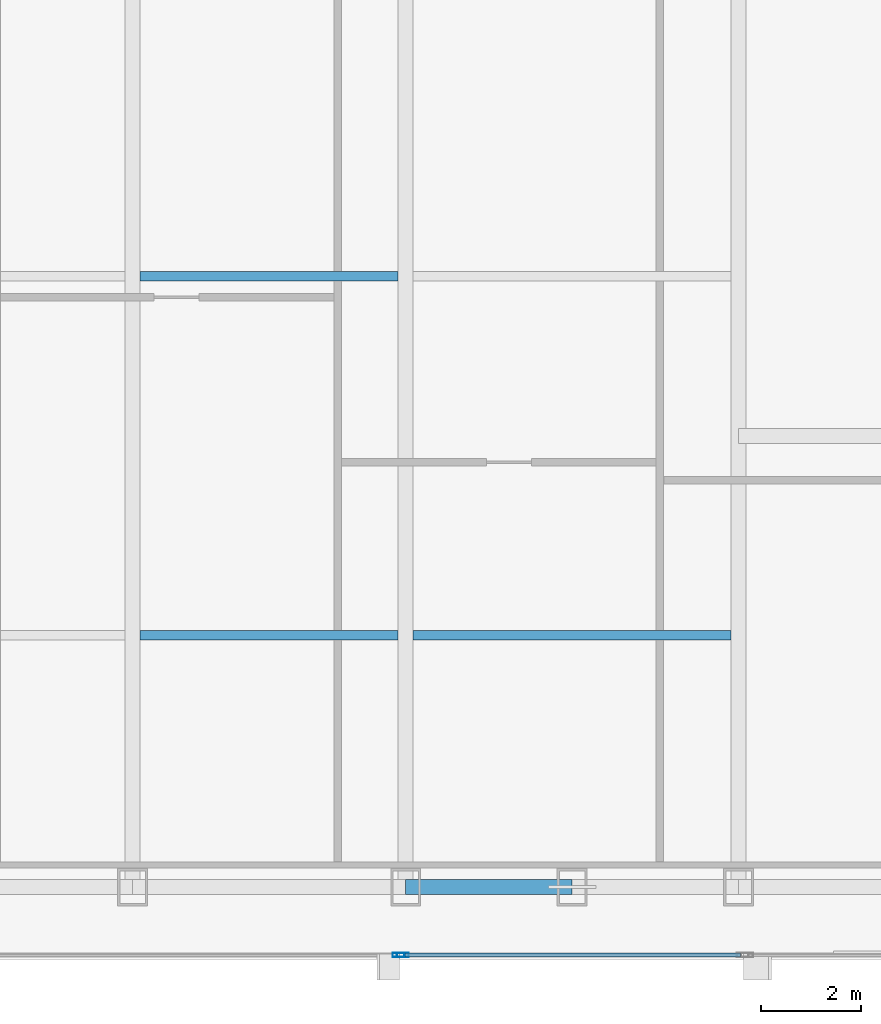
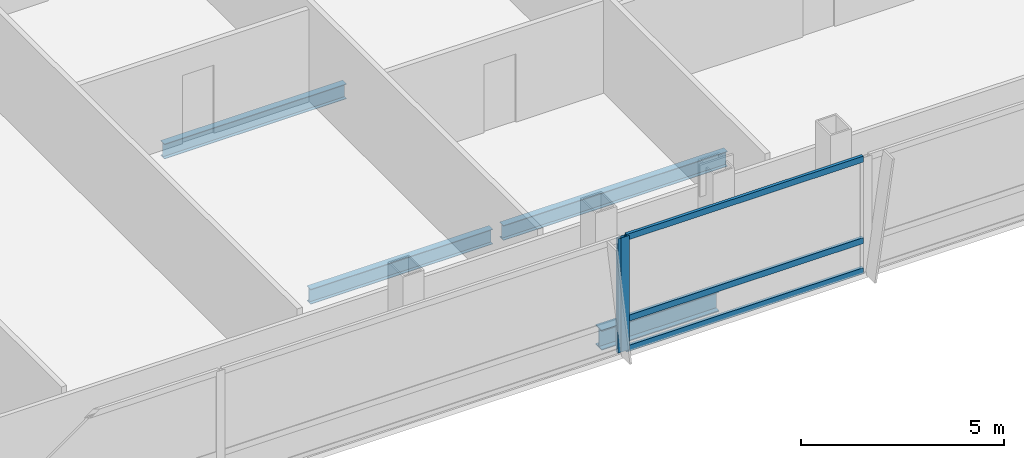
# One storey, part 12 of 30: 5 members, 4 beams, 2 elements without a shape of their own.
"""IFC4 building model written with IfcOpenShell, lengths in metres."""

from ifc_helpers import new_model, si_unit, direction, frame, origin, origin_2d, place, context, subcontext, project, spatial, hollow_rectangle, i_section, extrude, material, material_profile, profile_set, type_object, element, aggregate, save


model = new_model("IFC4")

# Units and contexts
model_context = context("Model", 3, precision=1e-05, world=origin(), true_north=direction((0.0, 1.0)))
body_context = subcontext(model_context, "Body", "Model", "MODEL_VIEW")
ifc_project = project(units=[si_unit("LENGTHUNIT", "METRE"), si_unit("AREAUNIT", "SQUARE_METRE"), si_unit("VOLUMEUNIT", "CUBIC_METRE"), si_unit("PLANEANGLEUNIT", "RADIAN"), si_unit("MASSUNIT", "GRAM", prefix="KILO")], contexts=[model_context])

# Site, building, storey
site_placement = place(None, origin())
site = spatial("IfcSite", under=ifc_project, at=site_placement, CompositionType="ELEMENT")
building_placement = place(site_placement, origin())
building = spatial("IfcBuilding", under=site, at=building_placement, Name="Khoronbel Lancet Exchange", CompositionType="ELEMENT")
storey_placement = place(building_placement, frame((0.0, 0.0, 217.39990234375)))
storey = spatial("IfcBuildingStorey", under=building, at=storey_placement, Name="L55", CompositionType="ELEMENT", Elevation=217.39990234375)

# Beams
ifc_material_1 = material(Name="Steel S355", Category="steel")
ifc_material_profile_1 = material_profile(ifc_material_1, i_section(OverallWidth=0.18994140625, OverallDepth=0.449951171875, WebThickness=0.009521484375, FlangeThickness=0.0146484375, at=origin_2d()), Name="IPE 450")
ifc_profile_set_1 = profile_set([ifc_material_profile_1], Name="Steel S355")
beam_type_1 = type_object("IfcBeamType", Name="BM-BJ4", PredefinedType="JOIST", material=ifc_profile_set_1)
beam_1_placement = place(storey_placement, frame((42.675048828125, 15.199951171875, -0.385009765625), z_axis=(1.0, 0.0, 0.0), x_axis=(0.0, 1.0, 0.0)))
element("IfcBeam", 1, at=beam_1_placement, inside=storey, type_object=beam_type_1, Name="Level L55 secondary composite joist J04", PredefinedType="JOIST", context=body_context, shape_type="SweptSolid", body=[
    extrude(i_section(OverallWidth=0.18994140625, OverallDepth=0.449951171875, WebThickness=0.009521484375, FlangeThickness=0.0146484375, at=origin_2d()), origin(), (0.0, 0.0, 1.0), 5.175048828125),
])
beam_2_placement = place(storey_placement, frame((48.14990234375, 15.199951171875, -0.385009765625), z_axis=(1.0, 0.0, 0.0), x_axis=(0.0, 1.0, 0.0)))
element("IfcBeam", 2, at=beam_2_placement, inside=storey, type_object=beam_type_1, Name="Level L55 secondary composite joist J05", PredefinedType="JOIST", context=body_context, shape_type="SweptSolid", body=[
    extrude(i_section(OverallWidth=0.18994140625, OverallDepth=0.449951171875, WebThickness=0.009521484375, FlangeThickness=0.0146484375, at=origin_2d()), origin(), (0.0, 0.0, 1.0), 6.375),
])
beam_3_placement = place(storey_placement, frame((42.675048828125, 22.39990234375, -0.385009765625), z_axis=(1.0, 0.0, 0.0), x_axis=(0.0, 1.0, 0.0)))
element("IfcBeam", 3, at=beam_3_placement, inside=storey, type_object=beam_type_1, Name="Level L55 secondary composite joist J09", PredefinedType="JOIST", context=body_context, shape_type="SweptSolid", body=[
    extrude(i_section(OverallWidth=0.18994140625, OverallDepth=0.449951171875, WebThickness=0.009521484375, FlangeThickness=0.0146484375, at=origin_2d()), origin(), (0.0, 0.0, 1.0), 5.175048828125),
])
ifc_material_profile_2 = material_profile(ifc_material_1, i_section(OverallWidth=0.300048828125, OverallDepth=0.60009765625, WebThickness=0.015380859375, FlangeThickness=0.030029296875, at=origin_2d()), Name="HEB 600")
ifc_profile_set_2 = profile_set([ifc_material_profile_2], Name="Steel S355")
beam_type_2 = type_object("IfcBeamType", Name="BM-BSP2", PredefinedType="SPANDREL", material=ifc_profile_set_2)
beam_4_placement = place(storey_placement, frame((48.0, 10.14990234375, -0.4599609375), z_axis=(1.0, 0.0, 0.0), x_axis=(0.0, 1.0, 0.0)))
element("IfcBeam", 4, at=beam_4_placement, inside=storey, type_object=beam_type_2, Name="Level L55 perimeter spandrel beam SP07", PredefinedType="SPANDREL", context=body_context, shape_type="SweptSolid", body=[
    extrude(i_section(OverallWidth=0.300048828125, OverallDepth=0.60009765625, WebThickness=0.015380859375, FlangeThickness=0.030029296875, at=origin_2d()), origin(), (0.0, 0.0, 1.0), 3.33740234375),
])

# Curtain wall, member
ifc_material_2 = material(Name="Low-E Solar Control Insulating Glass", Category="glass")
curtain_wall_type = type_object("IfcCurtainWallType", Name="CW-3", PredefinedType="NOTDEFINED", material=ifc_material_2)
curtain_wall_1_placement = place(storey_placement, origin())
curtain_wall_1 = element("IfcCurtainWall", 5, at=curtain_wall_1_placement, inside=storey, type_object=curtain_wall_type, Name="Unitised curtain wall CW-L55-SCV", PredefinedType="NOTDEFINED")
ifc_material_3 = material(Name="Bronze-Anodised Aluminium 6063-T6", Category="aluminium")
ifc_material_profile_3 = material_profile(ifc_material_3, hollow_rectangle(XDim=0.0849609375, YDim=0.239990234375, WallThickness=0.006103515625, at=origin_2d()), Name="ALU MULLION 85x240")
ifc_profile_set_3 = profile_set([ifc_material_profile_3], Name="Bronze-Anodised Aluminium 6063-T6")
member_type_1 = type_object("IfcMemberType", Name="MEM-CWM1", PredefinedType="MULLION", material=ifc_profile_set_3)
member_1_placement = place(storey_placement, frame((47.857421875, 8.7900390625, 0.0), z_axis=(0.0, 0.0, 1.0), x_axis=(0.0, 1.0, 0.0)))
member_1 = element("IfcMember", 6, at=member_1_placement, type_object=member_type_1, Name="CW3 mullion 3", PredefinedType="MULLION", context=body_context, shape_type="SweptSolid", body=[
    extrude(hollow_rectangle(XDim=0.0849609375, YDim=0.239990234375, WallThickness=0.006103515625, at=origin_2d()), origin(), (0.0, 0.0, 1.0), 3.440185546875),
])
aggregate(curtain_wall_1, [member_1])

# Curtain wall, members
curtain_wall_2_placement = place(storey_placement, origin())
curtain_wall_2 = element("IfcCurtainWall", 7, at=curtain_wall_2_placement, inside=storey, type_object=curtain_wall_type, Name="Unitised curtain wall CW-L55-SEB", PredefinedType="NOTDEFINED")
member_2_placement = place(storey_placement, frame((47.9423828125, 8.7900390625, 0.0), z_axis=(0.0, 0.0, 1.0), x_axis=(0.0, 1.0, 0.0)))
member_2 = element("IfcMember", 8, at=member_2_placement, type_object=member_type_1, Name="CW3 mullion 1", PredefinedType="MULLION", context=body_context, shape_type="SweptSolid", body=[
    extrude(hollow_rectangle(XDim=0.0849609375, YDim=0.239990234375, WallThickness=0.006103515625, at=origin_2d()), origin(), (0.0, 0.0, 1.0), 3.440185546875),
])
ifc_material_profile_4 = material_profile(ifc_material_3, hollow_rectangle(XDim=0.0849609375, YDim=0.179931640625, WallThickness=0.0048828125, at=origin_2d()), Name="ALU TRANSOM 85x180")
ifc_profile_set_4 = profile_set([ifc_material_profile_4], Name="Bronze-Anodised Aluminium 6063-T6")
member_type_2 = type_object("IfcMemberType", Name="MEM-CWT1", PredefinedType="USERDEFINED", material=ifc_profile_set_4)
member_3_placement = place(storey_placement, frame((47.985107421875, 8.7900390625, 0.04248046875), z_axis=(1.0, 0.0, 0.0), x_axis=(0.0, 1.0, 0.0)))
member_3 = element("IfcMember", 9, at=member_3_placement, type_object=member_type_2, Name="CW3 transom 1.1", ObjectType="TRANSOM", PredefinedType="USERDEFINED", context=body_context, shape_type="SweptSolid", body=[
    extrude(hollow_rectangle(XDim=0.0849609375, YDim=0.179931640625, WallThickness=0.0048828125, at=origin_2d()), origin(), (0.0, 0.0, 1.0), 6.72998046875),
])
member_4_placement = place(storey_placement, frame((47.985107421875, 8.7900390625, 0.9501953125), z_axis=(1.0, 0.0, 0.0), x_axis=(0.0, 1.0, 0.0)))
member_4 = element("IfcMember", 10, at=member_4_placement, type_object=member_type_2, Name="CW3 transom 1.2", ObjectType="TRANSOM", PredefinedType="USERDEFINED", context=body_context, shape_type="SweptSolid", body=[
    extrude(hollow_rectangle(XDim=0.0849609375, YDim=0.179931640625, WallThickness=0.0048828125, at=origin_2d()), origin(), (0.0, 0.0, 1.0), 6.72998046875),
])
member_5_placement = place(storey_placement, frame((47.985107421875, 8.7900390625, 3.397705078125), z_axis=(1.0, 0.0, 0.0), x_axis=(0.0, 1.0, 0.0)))
member_5 = element("IfcMember", 11, at=member_5_placement, type_object=member_type_2, Name="CW3 transom 1.3", ObjectType="TRANSOM", PredefinedType="USERDEFINED", context=body_context, shape_type="SweptSolid", body=[
    extrude(hollow_rectangle(XDim=0.0849609375, YDim=0.179931640625, WallThickness=0.0048828125, at=origin_2d()), origin(), (0.0, 0.0, 1.0), 6.72998046875),
])
aggregate(curtain_wall_2, [member_2, member_3, member_4, member_5])

save(model, "model.ifc")
